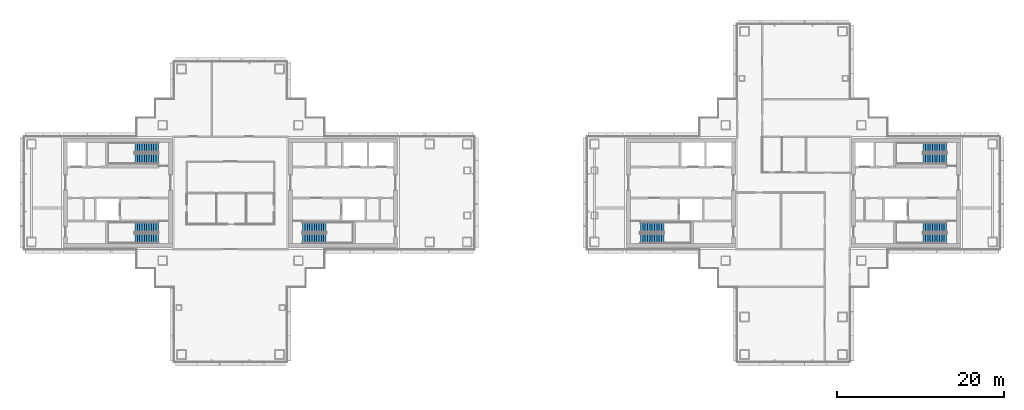
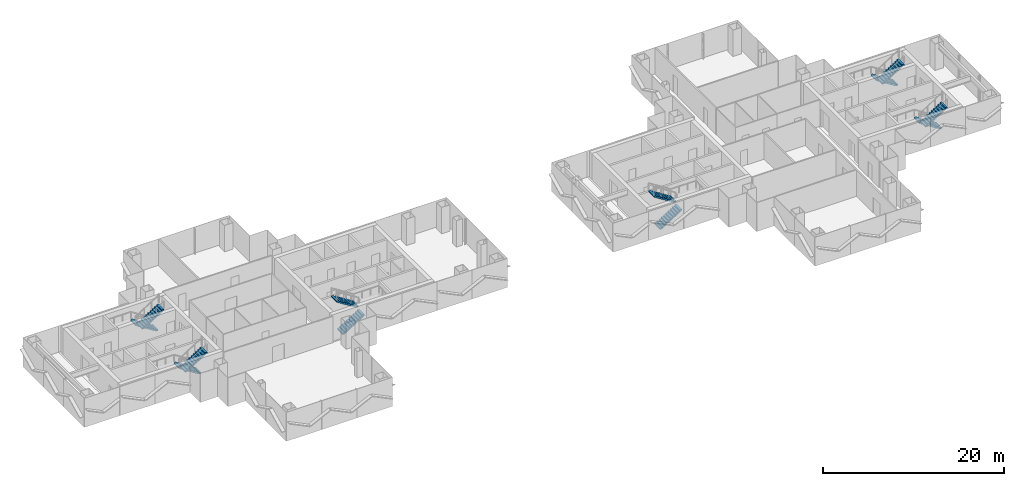
# One storey, part 13 of 16: 12 stair flights, 6 elements without a shape of their own.
"""IFC4 building model written with IfcOpenShell, lengths in metres."""

from ifc_helpers import new_model, si_unit, direction, frame, origin, place, context, subcontext, project, spatial, polyline, outline, extrude, material, type_object, element, aggregate, save


model = new_model("IFC4")

# Units and contexts
model_context = context("Model", 3, precision=1e-05, world=origin(), true_north=direction((0.0, 1.0)))
body_context = subcontext(model_context, "Body", "Model", "MODEL_VIEW")
ifc_project = project(units=[si_unit("LENGTHUNIT", "METRE"), si_unit("AREAUNIT", "SQUARE_METRE"), si_unit("VOLUMEUNIT", "CUBIC_METRE"), si_unit("PLANEANGLEUNIT", "RADIAN"), si_unit("MASSUNIT", "GRAM", prefix="KILO")], contexts=[model_context])

# Site, building, storey
site_placement = place(None, origin())
site = spatial("IfcSite", under=ifc_project, at=site_placement, CompositionType="ELEMENT")
building_placement = place(site_placement, origin())
building = spatial("IfcBuilding", under=site, at=building_placement, Name="Shamsa Quay Exchange Towers", CompositionType="ELEMENT")
storey_placement = place(building_placement, frame((0.0, 0.0, 162.300048828125)))
storey = spatial("IfcBuildingStorey", under=building, at=storey_placement, Name="L38", CompositionType="ELEMENT", Elevation=162.300048828125)

# Stair, stair flights
ifc_material = material(Name="Concrete C40/50", Category="concrete")
stair_type = type_object("IfcStairType", Name="EXIT STAIR 22 RISERS 177 MM", PredefinedType="HALF_TURN_STAIR", material=ifc_material)
stair_1_placement = place(storey_placement, origin())
stair_1 = element("IfcStair", 1, at=stair_1_placement, inside=storey, type_object=stair_type, Name="L38 Exit stair ST1", PredefinedType="HALF_TURN_STAIR")
stair_flight_type = type_object("IfcStairFlightType", Name="EXIT STAIR FLIGHT 11 RISERS 177 MM", PredefinedType="STRAIGHT", material=ifc_material)
stair_flight_1_placement = place(storey_placement, frame((-25.10009765625, -5.449951171875, 0.0)))
stair_flight_1 = element("IfcStairFlight", 2, at=stair_flight_1_placement, type_object=stair_flight_type, Name="ST1 flight 1", NumberOfRisers=11, NumberOfTreads=10, PredefinedType="STRAIGHT", RiserHeight=0.177272727, TreadLength=0.28, context=body_context, shape_type="SweptSolid", body=[
    extrude(outline(polyline([(0.0, 0.0), (0.0, 0.17724609375), (0.280029296875, 0.17724609375), (0.280029296875, 0.3544921875), (0.56005859375, 0.3544921875), (0.56005859375, 0.53173828125), (0.840087890625, 0.53173828125), (0.840087890625, 0.708984375), (1.1201171875, 0.708984375), (1.1201171875, 0.886474609375), (1.39990234375, 0.886474609375), (1.39990234375, 1.063720703125), (1.679931640625, 1.063720703125), (1.679931640625, 1.240966796875), (1.9599609375, 1.240966796875), (1.9599609375, 1.418212890625), (2.239990234375, 1.418212890625), (2.239990234375, 1.595458984375), (2.52001953125, 1.595458984375), (2.52001953125, 1.772705078125), (2.800048828125, 1.772705078125), (2.800048828125, 1.949951171875), (2.800048828125, 1.607177734375), (0.261474609375, 0.0), (0.0, 0.0)])), frame((0.0, 0.60009765625, 0.0), z_axis=(0.0, -1.0, 0.0), x_axis=(1.0, 0.0, 0.0)), (0.0, 0.0, 1.0), 1.199951171875),
])
stair_flight_2_placement = place(storey_placement, frame((-22.300048828125, -4.10009765625, 1.949951171875), z_axis=(0.0, 0.0, 1.0), x_axis=(-1.0, 0.0, 0.0)))
stair_flight_2 = element("IfcStairFlight", 3, at=stair_flight_2_placement, type_object=stair_flight_type, Name="ST1 flight 2", NumberOfRisers=11, NumberOfTreads=10, PredefinedType="STRAIGHT", RiserHeight=0.177272727, TreadLength=0.28, context=body_context, shape_type="SweptSolid", body=[
    extrude(outline(polyline([(0.0, 0.0), (0.0, 0.17724609375), (0.280029296875, 0.17724609375), (0.280029296875, 0.3544921875), (0.56005859375, 0.3544921875), (0.56005859375, 0.53173828125), (0.840087890625, 0.53173828125), (0.840087890625, 0.708984375), (1.1201171875, 0.708984375), (1.1201171875, 0.886474609375), (1.39990234375, 0.886474609375), (1.39990234375, 1.063720703125), (1.679931640625, 1.063720703125), (1.679931640625, 1.240966796875), (1.9599609375, 1.240966796875), (1.9599609375, 1.418212890625), (2.239990234375, 1.418212890625), (2.239990234375, 1.595458984375), (2.52001953125, 1.595458984375), (2.52001953125, 1.772705078125), (2.800048828125, 1.772705078125), (2.800048828125, 1.949951171875), (2.800048828125, 1.607177734375), (0.261474609375, 0.0), (0.0, 0.0)])), frame((0.0, 0.60009765625, 0.0), z_axis=(0.0, -1.0, 0.0), x_axis=(1.0, 0.0, 0.0)), (0.0, 0.0, 1.0), 1.199951171875),
])
aggregate(stair_1, [stair_flight_1, stair_flight_2])

stair_2_placement = place(storey_placement, origin())
stair_2 = element("IfcStair", 4, at=stair_2_placement, inside=storey, type_object=stair_type, Name="L38 Exit stair ST2", PredefinedType="HALF_TURN_STAIR")
stair_flight_3_placement = place(storey_placement, frame((-42.39990234375, -4.10009765625, 0.0), z_axis=(0.0, 0.0, 1.0), x_axis=(-1.0, 0.0, 0.0)))
stair_flight_3 = element("IfcStairFlight", 5, at=stair_flight_3_placement, type_object=stair_flight_type, Name="ST2 flight 1", NumberOfRisers=11, NumberOfTreads=10, PredefinedType="STRAIGHT", RiserHeight=0.177272727, TreadLength=0.28, context=body_context, shape_type="SweptSolid", body=[
    extrude(outline(polyline([(0.0, 0.0), (0.0, 0.17724609375), (0.280029296875, 0.17724609375), (0.280029296875, 0.3544921875), (0.56005859375, 0.3544921875), (0.56005859375, 0.53173828125), (0.840087890625, 0.53173828125), (0.840087890625, 0.708984375), (1.1201171875, 0.708984375), (1.1201171875, 0.886474609375), (1.39990234375, 0.886474609375), (1.39990234375, 1.063720703125), (1.679931640625, 1.063720703125), (1.679931640625, 1.240966796875), (1.9599609375, 1.240966796875), (1.9599609375, 1.418212890625), (2.239990234375, 1.418212890625), (2.239990234375, 1.595458984375), (2.52001953125, 1.595458984375), (2.52001953125, 1.772705078125), (2.800048828125, 1.772705078125), (2.800048828125, 1.949951171875), (2.800048828125, 1.607177734375), (0.261474609375, 0.0), (0.0, 0.0)])), frame((0.0, 0.60009765625, 0.0), z_axis=(0.0, -1.0, 0.0), x_axis=(1.0, 0.0, 0.0)), (0.0, 0.0, 1.0), 1.199951171875),
])
stair_flight_4_placement = place(storey_placement, frame((-45.199951171875, -5.449951171875, 1.949951171875)))
stair_flight_4 = element("IfcStairFlight", 6, at=stair_flight_4_placement, type_object=stair_flight_type, Name="ST2 flight 2", NumberOfRisers=11, NumberOfTreads=10, PredefinedType="STRAIGHT", RiserHeight=0.177272727, TreadLength=0.28, context=body_context, shape_type="SweptSolid", body=[
    extrude(outline(polyline([(0.0, 0.0), (0.0, 0.17724609375), (0.280029296875, 0.17724609375), (0.280029296875, 0.3544921875), (0.56005859375, 0.3544921875), (0.56005859375, 0.53173828125), (0.840087890625, 0.53173828125), (0.840087890625, 0.708984375), (1.1201171875, 0.708984375), (1.1201171875, 0.886474609375), (1.39990234375, 0.886474609375), (1.39990234375, 1.063720703125), (1.679931640625, 1.063720703125), (1.679931640625, 1.240966796875), (1.9599609375, 1.240966796875), (1.9599609375, 1.418212890625), (2.239990234375, 1.418212890625), (2.239990234375, 1.595458984375), (2.52001953125, 1.595458984375), (2.52001953125, 1.772705078125), (2.800048828125, 1.772705078125), (2.800048828125, 1.949951171875), (2.800048828125, 1.607177734375), (0.261474609375, 0.0), (0.0, 0.0)])), frame((0.0, 0.60009765625, 0.0), z_axis=(0.0, -1.0, 0.0), x_axis=(1.0, 0.0, 0.0)), (0.0, 0.0, 1.0), 1.199951171875),
])
aggregate(stair_2, [stair_flight_3, stair_flight_4])

stair_3_placement = place(storey_placement, origin())
stair_3 = element("IfcStair", 7, at=stair_3_placement, inside=storey, type_object=stair_type, Name="L38 Exit stair ST3", PredefinedType="HALF_TURN_STAIR")
stair_flight_5_placement = place(storey_placement, frame((-42.39990234375, 5.449951171875, 0.0), z_axis=(0.0, 0.0, 1.0), x_axis=(-1.0, 0.0, 0.0)))
stair_flight_5 = element("IfcStairFlight", 8, at=stair_flight_5_placement, type_object=stair_flight_type, Name="ST3 flight 1", NumberOfRisers=11, NumberOfTreads=10, PredefinedType="STRAIGHT", RiserHeight=0.177272727, TreadLength=0.28, context=body_context, shape_type="SweptSolid", body=[
    extrude(outline(polyline([(0.0, 0.0), (0.0, 0.17724609375), (0.280029296875, 0.17724609375), (0.280029296875, 0.3544921875), (0.56005859375, 0.3544921875), (0.56005859375, 0.53173828125), (0.840087890625, 0.53173828125), (0.840087890625, 0.708984375), (1.1201171875, 0.708984375), (1.1201171875, 0.886474609375), (1.39990234375, 0.886474609375), (1.39990234375, 1.063720703125), (1.679931640625, 1.063720703125), (1.679931640625, 1.240966796875), (1.9599609375, 1.240966796875), (1.9599609375, 1.418212890625), (2.239990234375, 1.418212890625), (2.239990234375, 1.595458984375), (2.52001953125, 1.595458984375), (2.52001953125, 1.772705078125), (2.800048828125, 1.772705078125), (2.800048828125, 1.949951171875), (2.800048828125, 1.607177734375), (0.261474609375, 0.0), (0.0, 0.0)])), frame((0.0, 0.60009765625, 0.0), z_axis=(0.0, -1.0, 0.0), x_axis=(1.0, 0.0, 0.0)), (0.0, 0.0, 1.0), 1.199951171875),
])
stair_flight_6_placement = place(storey_placement, frame((-45.199951171875, 4.10009765625, 1.949951171875)))
stair_flight_6 = element("IfcStairFlight", 9, at=stair_flight_6_placement, type_object=stair_flight_type, Name="ST3 flight 2", NumberOfRisers=11, NumberOfTreads=10, PredefinedType="STRAIGHT", RiserHeight=0.177272727, TreadLength=0.28, context=body_context, shape_type="SweptSolid", body=[
    extrude(outline(polyline([(0.0, 0.0), (0.0, 0.17724609375), (0.280029296875, 0.17724609375), (0.280029296875, 0.3544921875), (0.56005859375, 0.3544921875), (0.56005859375, 0.53173828125), (0.840087890625, 0.53173828125), (0.840087890625, 0.708984375), (1.1201171875, 0.708984375), (1.1201171875, 0.886474609375), (1.39990234375, 0.886474609375), (1.39990234375, 1.063720703125), (1.679931640625, 1.063720703125), (1.679931640625, 1.240966796875), (1.9599609375, 1.240966796875), (1.9599609375, 1.418212890625), (2.239990234375, 1.418212890625), (2.239990234375, 1.595458984375), (2.52001953125, 1.595458984375), (2.52001953125, 1.772705078125), (2.800048828125, 1.772705078125), (2.800048828125, 1.949951171875), (2.800048828125, 1.607177734375), (0.261474609375, 0.0), (0.0, 0.0)])), frame((0.0, 0.60009765625, 0.0), z_axis=(0.0, -1.0, 0.0), x_axis=(1.0, 0.0, 0.0)), (0.0, 0.0, 1.0), 1.199951171875),
])
aggregate(stair_3, [stair_flight_5, stair_flight_6])

stair_4_placement = place(storey_placement, origin())
stair_4 = element("IfcStair", 10, at=stair_4_placement, inside=storey, type_object=stair_type, Name="L38 Exit stair ST4", PredefinedType="HALF_TURN_STAIR")
stair_flight_7_placement = place(storey_placement, frame((15.39990234375, -5.449951171875, 0.0)))
stair_flight_7 = element("IfcStairFlight", 11, at=stair_flight_7_placement, type_object=stair_flight_type, Name="ST4 flight 1", NumberOfRisers=11, NumberOfTreads=10, PredefinedType="STRAIGHT", RiserHeight=0.177272727, TreadLength=0.28, context=body_context, shape_type="SweptSolid", body=[
    extrude(outline(polyline([(0.0, 0.0), (0.0, 0.17724609375), (0.280029296875, 0.17724609375), (0.280029296875, 0.3544921875), (0.56005859375, 0.3544921875), (0.56005859375, 0.53173828125), (0.840087890625, 0.53173828125), (0.840087890625, 0.708984375), (1.1201171875, 0.708984375), (1.1201171875, 0.886474609375), (1.39990234375, 0.886474609375), (1.39990234375, 1.063720703125), (1.679931640625, 1.063720703125), (1.679931640625, 1.240966796875), (1.9599609375, 1.240966796875), (1.9599609375, 1.418212890625), (2.239990234375, 1.418212890625), (2.239990234375, 1.595458984375), (2.52001953125, 1.595458984375), (2.52001953125, 1.772705078125), (2.800048828125, 1.772705078125), (2.800048828125, 1.949951171875), (2.800048828125, 1.607177734375), (0.261474609375, 0.0), (0.0, 0.0)])), frame((0.0, 0.60009765625, 0.0), z_axis=(0.0, -1.0, 0.0), x_axis=(1.0, 0.0, 0.0)), (0.0, 0.0, 1.0), 1.199951171875),
])
stair_flight_8_placement = place(storey_placement, frame((18.199951171875, -4.10009765625, 1.949951171875), z_axis=(0.0, 0.0, 1.0), x_axis=(-1.0, 0.0, 0.0)))
stair_flight_8 = element("IfcStairFlight", 12, at=stair_flight_8_placement, type_object=stair_flight_type, Name="ST4 flight 2", NumberOfRisers=11, NumberOfTreads=10, PredefinedType="STRAIGHT", RiserHeight=0.177272727, TreadLength=0.28, context=body_context, shape_type="SweptSolid", body=[
    extrude(outline(polyline([(0.0, 0.0), (0.0, 0.17724609375), (0.280029296875, 0.17724609375), (0.280029296875, 0.3544921875), (0.56005859375, 0.3544921875), (0.56005859375, 0.53173828125), (0.840087890625, 0.53173828125), (0.840087890625, 0.708984375), (1.1201171875, 0.708984375), (1.1201171875, 0.886474609375), (1.39990234375, 0.886474609375), (1.39990234375, 1.063720703125), (1.679931640625, 1.063720703125), (1.679931640625, 1.240966796875), (1.9599609375, 1.240966796875), (1.9599609375, 1.418212890625), (2.239990234375, 1.418212890625), (2.239990234375, 1.595458984375), (2.52001953125, 1.595458984375), (2.52001953125, 1.772705078125), (2.800048828125, 1.772705078125), (2.800048828125, 1.949951171875), (2.800048828125, 1.607177734375), (0.261474609375, 0.0), (0.0, 0.0)])), frame((0.0, 0.60009765625, 0.0), z_axis=(0.0, -1.0, 0.0), x_axis=(1.0, 0.0, 0.0)), (0.0, 0.0, 1.0), 1.199951171875),
])
aggregate(stair_4, [stair_flight_7, stair_flight_8])

stair_5_placement = place(storey_placement, origin())
stair_5 = element("IfcStair", 13, at=stair_5_placement, inside=storey, type_object=stair_type, Name="L38 Exit stair ST5", PredefinedType="HALF_TURN_STAIR")
stair_flight_9_placement = place(storey_placement, frame((52.10009765625, -4.10009765625, 0.0), z_axis=(0.0, 0.0, 1.0), x_axis=(-1.0, 0.0, 0.0)))
stair_flight_9 = element("IfcStairFlight", 14, at=stair_flight_9_placement, type_object=stair_flight_type, Name="ST5 flight 1", NumberOfRisers=11, NumberOfTreads=10, PredefinedType="STRAIGHT", RiserHeight=0.177272727, TreadLength=0.28, context=body_context, shape_type="SweptSolid", body=[
    extrude(outline(polyline([(0.0, 0.0), (0.0, 0.17724609375), (0.280029296875, 0.17724609375), (0.280029296875, 0.3544921875), (0.56005859375, 0.3544921875), (0.56005859375, 0.53173828125), (0.840087890625, 0.53173828125), (0.840087890625, 0.708984375), (1.1201171875, 0.708984375), (1.1201171875, 0.886474609375), (1.39990234375, 0.886474609375), (1.39990234375, 1.063720703125), (1.679931640625, 1.063720703125), (1.679931640625, 1.240966796875), (1.9599609375, 1.240966796875), (1.9599609375, 1.418212890625), (2.239990234375, 1.418212890625), (2.239990234375, 1.595458984375), (2.52001953125, 1.595458984375), (2.52001953125, 1.772705078125), (2.800048828125, 1.772705078125), (2.800048828125, 1.949951171875), (2.800048828125, 1.607177734375), (0.261474609375, 0.0), (0.0, 0.0)])), frame((0.0, 0.60009765625, 0.0), z_axis=(0.0, -1.0, 0.0), x_axis=(1.0, 0.0, 0.0)), (0.0, 0.0, 1.0), 1.199951171875),
])
stair_flight_10_placement = place(storey_placement, frame((49.300048828125, -5.449951171875, 1.949951171875)))
stair_flight_10 = element("IfcStairFlight", 15, at=stair_flight_10_placement, type_object=stair_flight_type, Name="ST5 flight 2", NumberOfRisers=11, NumberOfTreads=10, PredefinedType="STRAIGHT", RiserHeight=0.177272727, TreadLength=0.28, context=body_context, shape_type="SweptSolid", body=[
    extrude(outline(polyline([(0.0, 0.0), (0.0, 0.17724609375), (0.280029296875, 0.17724609375), (0.280029296875, 0.3544921875), (0.56005859375, 0.3544921875), (0.56005859375, 0.53173828125), (0.840087890625, 0.53173828125), (0.840087890625, 0.708984375), (1.1201171875, 0.708984375), (1.1201171875, 0.886474609375), (1.39990234375, 0.886474609375), (1.39990234375, 1.063720703125), (1.679931640625, 1.063720703125), (1.679931640625, 1.240966796875), (1.9599609375, 1.240966796875), (1.9599609375, 1.418212890625), (2.239990234375, 1.418212890625), (2.239990234375, 1.595458984375), (2.52001953125, 1.595458984375), (2.52001953125, 1.772705078125), (2.800048828125, 1.772705078125), (2.800048828125, 1.949951171875), (2.800048828125, 1.607177734375), (0.261474609375, 0.0), (0.0, 0.0)])), frame((0.0, 0.60009765625, 0.0), z_axis=(0.0, -1.0, 0.0), x_axis=(1.0, 0.0, 0.0)), (0.0, 0.0, 1.0), 1.199951171875),
])
aggregate(stair_5, [stair_flight_9, stair_flight_10])

stair_6_placement = place(storey_placement, origin())
stair_6 = element("IfcStair", 16, at=stair_6_placement, inside=storey, type_object=stair_type, Name="L38 Exit stair ST6", PredefinedType="HALF_TURN_STAIR")
stair_flight_11_placement = place(storey_placement, frame((52.10009765625, 5.449951171875, 0.0), z_axis=(0.0, 0.0, 1.0), x_axis=(-1.0, 0.0, 0.0)))
stair_flight_11 = element("IfcStairFlight", 17, at=stair_flight_11_placement, type_object=stair_flight_type, Name="ST6 flight 1", NumberOfRisers=11, NumberOfTreads=10, PredefinedType="STRAIGHT", RiserHeight=0.177272727, TreadLength=0.28, context=body_context, shape_type="SweptSolid", body=[
    extrude(outline(polyline([(0.0, 0.0), (0.0, 0.17724609375), (0.280029296875, 0.17724609375), (0.280029296875, 0.3544921875), (0.56005859375, 0.3544921875), (0.56005859375, 0.53173828125), (0.840087890625, 0.53173828125), (0.840087890625, 0.708984375), (1.1201171875, 0.708984375), (1.1201171875, 0.886474609375), (1.39990234375, 0.886474609375), (1.39990234375, 1.063720703125), (1.679931640625, 1.063720703125), (1.679931640625, 1.240966796875), (1.9599609375, 1.240966796875), (1.9599609375, 1.418212890625), (2.239990234375, 1.418212890625), (2.239990234375, 1.595458984375), (2.52001953125, 1.595458984375), (2.52001953125, 1.772705078125), (2.800048828125, 1.772705078125), (2.800048828125, 1.949951171875), (2.800048828125, 1.607177734375), (0.261474609375, 0.0), (0.0, 0.0)])), frame((0.0, 0.60009765625, 0.0), z_axis=(0.0, -1.0, 0.0), x_axis=(1.0, 0.0, 0.0)), (0.0, 0.0, 1.0), 1.199951171875),
])
stair_flight_12_placement = place(storey_placement, frame((49.300048828125, 4.10009765625, 1.949951171875)))
stair_flight_12 = element("IfcStairFlight", 18, at=stair_flight_12_placement, type_object=stair_flight_type, Name="ST6 flight 2", NumberOfRisers=11, NumberOfTreads=10, PredefinedType="STRAIGHT", RiserHeight=0.177272727, TreadLength=0.28, context=body_context, shape_type="SweptSolid", body=[
    extrude(outline(polyline([(0.0, 0.0), (0.0, 0.17724609375), (0.280029296875, 0.17724609375), (0.280029296875, 0.3544921875), (0.56005859375, 0.3544921875), (0.56005859375, 0.53173828125), (0.840087890625, 0.53173828125), (0.840087890625, 0.708984375), (1.1201171875, 0.708984375), (1.1201171875, 0.886474609375), (1.39990234375, 0.886474609375), (1.39990234375, 1.063720703125), (1.679931640625, 1.063720703125), (1.679931640625, 1.240966796875), (1.9599609375, 1.240966796875), (1.9599609375, 1.418212890625), (2.239990234375, 1.418212890625), (2.239990234375, 1.595458984375), (2.52001953125, 1.595458984375), (2.52001953125, 1.772705078125), (2.800048828125, 1.772705078125), (2.800048828125, 1.949951171875), (2.800048828125, 1.607177734375), (0.261474609375, 0.0), (0.0, 0.0)])), frame((0.0, 0.60009765625, 0.0), z_axis=(0.0, -1.0, 0.0), x_axis=(1.0, 0.0, 0.0)), (0.0, 0.0, 1.0), 1.199951171875),
])
aggregate(stair_6, [stair_flight_11, stair_flight_12])

save(model, "model.ifc")
